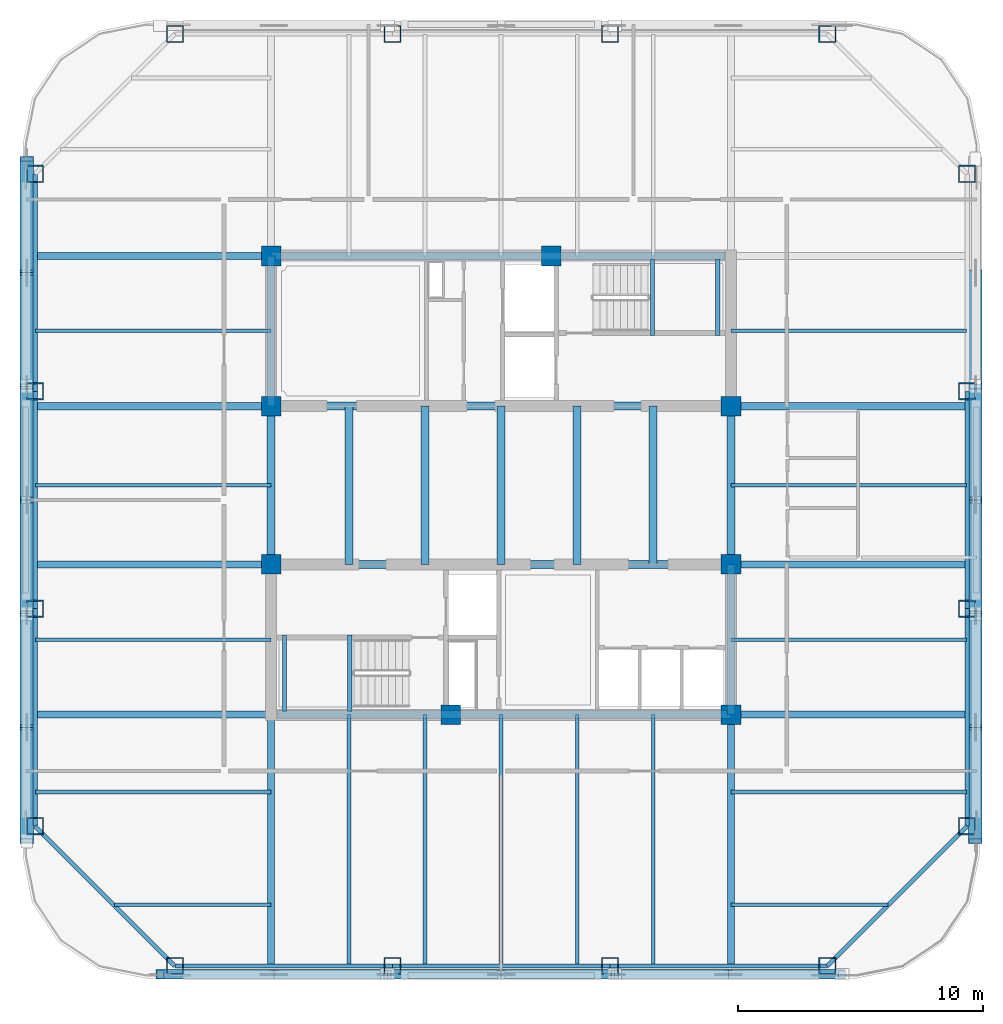
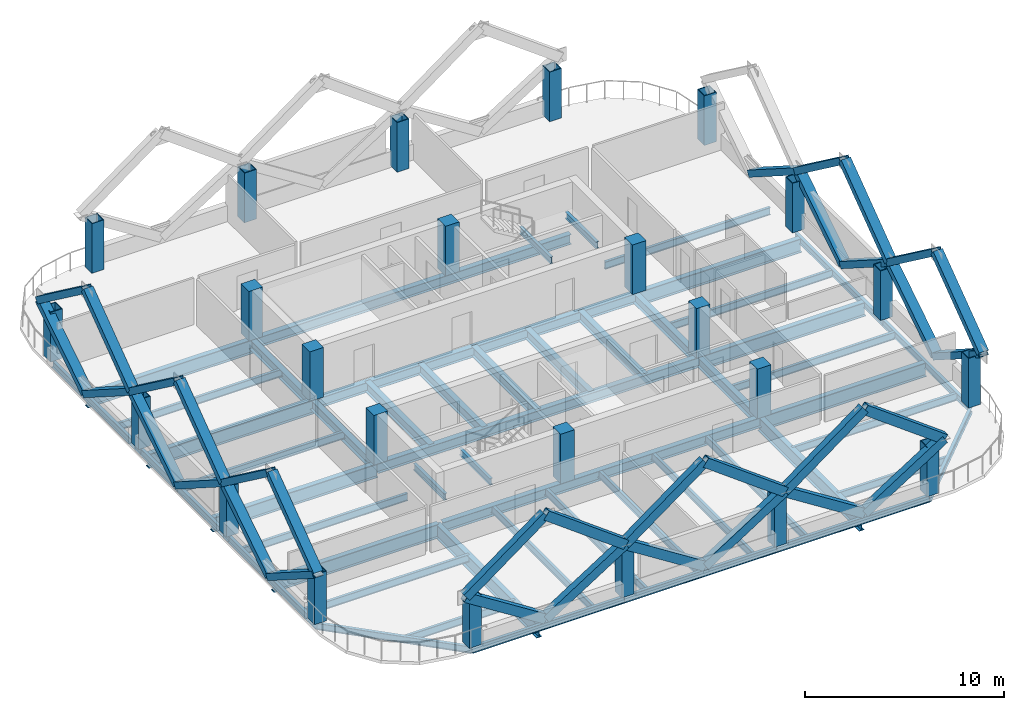
# One storey, part 1 of 8: 51 beams, 33 members, 24 columns.
"""IFC4 building model written with IfcOpenShell, lengths in metres."""

from ifc_helpers import new_model, si_unit, direction, frame, origin, origin_2d, place, context, subcontext, project, spatial, rectangle, hollow_rectangle, i_section, extrude, material, material_profile, profile_set, type_object, element, save


model = new_model("IFC4")

# Units and contexts
model_context = context("Model", 3, precision=1e-05, world=origin(), true_north=direction((0.0, 1.0)))
body_context = subcontext(model_context, "Body", "Model", "MODEL_VIEW")
ifc_project = project(units=[si_unit("LENGTHUNIT", "METRE"), si_unit("AREAUNIT", "SQUARE_METRE"), si_unit("VOLUMEUNIT", "CUBIC_METRE"), si_unit("PLANEANGLEUNIT", "RADIAN"), si_unit("MASSUNIT", "GRAM", prefix="KILO")], contexts=[model_context])

# Site, building, storey
site_placement = place(None, origin())
site = spatial("IfcSite", under=ifc_project, at=site_placement, CompositionType="ELEMENT")
building_placement = place(site_placement, origin())
building = spatial("IfcBuilding", under=site, at=building_placement, Name="Qhalaya Broadcast Tower", CompositionType="ELEMENT")
storey_placement = place(building_placement, frame((0.0, 0.0, 223.89990234375)))
storey = spatial("IfcBuildingStorey", under=building, at=storey_placement, Name="L66", CompositionType="ELEMENT", Elevation=223.89990234375)

# Columns
ifc_material_1 = material(Name="Concrete C50/60", Category="concrete")
ifc_material_profile_1 = material_profile(ifc_material_1, rectangle(XDim=0.800048828125, YDim=0.800048828125, at=origin_2d()), Name="RC-COL 800x800")
ifc_profile_set_1 = profile_set([ifc_material_profile_1], Name="Concrete C50/60")
column_type_1 = type_object("IfcColumnType", Name="RC Upper Column C10", PredefinedType="COLUMN", material=ifc_profile_set_1)
for number, where, z_axis, x_axis, name in (
    (1, (-9.375, 9.949951171875, 0.0), (0.0, 0.0, 1.0), (1.0, 0.0, 0.0), "L66 Column COL-CC1"),
    (2, (2.050048828125, 9.949951171875, 0.0), (0.0, 0.0, 1.0), (1.0, 0.0, 0.0), "L66 Column COL-CC2"),
    (3, (-9.375, 3.824951171875, 0.0), (0.0, 0.0, 1.0), (1.0, 0.0, 0.0), "L66 Column COL-CC3"),
    (4, (9.375, 3.824951171875, 0.0), (0.0, 0.0, 1.0), (1.0, 0.0, 0.0), "L66 Column COL-CC4"),
    (5, (-9.375, -2.625, 0.0), (0.0, 0.0, 1.0), (1.0, 0.0, 0.0), "L66 Column COL-CC5"),
    (6, (9.375, -2.625, 0.0), (0.0, 0.0, 1.0), (1.0, 0.0, 0.0), "L66 Column COL-CC6"),
    (7, (-2.050048828125, -8.75, 0.0), (0.0, 0.0, 1.0), (1.0, 0.0, 0.0), "L66 Column COL-CC7"),
    (8, (9.375, -8.75, 0.0), (0.0, 0.0, 1.0), (1.0, 0.0, 0.0), "L66 Column COL-CC8"),
):
    element("IfcColumn", number, at=place(storey_placement, frame(where, z_axis=z_axis, x_axis=x_axis)), inside=storey, type_object=column_type_1, Name=name, PredefinedType="COLUMN", context=body_context, shape_type="SweptSolid", body=[
        extrude(rectangle(XDim=0.800048828125, YDim=0.800048828125, at=origin_2d()), origin(), (0.0, 0.0, 1.0), 3.050048828125),
    ])
ifc_material_2 = material(Name="Structural Steel ASTM A572 Grade 50", Category="steel")
ifc_material_profile_2 = material_profile(ifc_material_2, hollow_rectangle(XDim=0.699951171875, YDim=0.699951171875, WallThickness=0.044921875, at=origin_2d()), Name="BOX 700x700x45")
ifc_profile_set_2 = profile_set([ifc_material_profile_2], Name="Structural Steel ASTM A572 Grade 50")
column_type_2 = type_object("IfcColumnType", Name="Steel Box Column C04", PredefinedType="COLUMN", material=ifc_profile_set_2)
for number, where, z_axis, x_axis, name in (
    (9, (-13.300048828125, -19.0, 0.0), (0.0, 0.0, 1.0), (1.0, 0.0, 0.0), "L66 Column COL-EX01"),
    (10, (-4.433349609375, -19.0, 0.0), (0.0, 0.0, 1.0), (1.0, 0.0, 0.0), "L66 Column COL-EX02"),
    (11, (4.433349609375, -19.0, 0.0), (0.0, 0.0, 1.0), (1.0, 0.0, 0.0), "L66 Column COL-EX03"),
    (12, (13.300048828125, -19.0, 0.0), (0.0, 0.0, 1.0), (1.0, 0.0, 0.0), "L66 Column COL-EX04"),
    (13, (19.0, -13.300048828125, 0.0), (0.0, 0.0, 1.0), (0.0, 1.0, 0.0), "L66 Column COL-EX05"),
    (14, (19.0, -4.433349609375, 0.0), (0.0, 0.0, 1.0), (0.0, 1.0, 0.0), "L66 Column COL-EX06"),
    (15, (19.0, 4.433349609375, 0.0), (0.0, 0.0, 1.0), (0.0, 1.0, 0.0), "L66 Column COL-EX07"),
    (16, (19.0, 13.300048828125, 0.0), (0.0, 0.0, 1.0), (0.0, 1.0, 0.0), "L66 Column COL-EX08"),
    (17, (13.300048828125, 19.0, 0.0), (0.0, 0.0, 1.0), (1.0, 0.0, 0.0), "L66 Column COL-EX09"),
    (18, (4.433349609375, 19.0, 0.0), (0.0, 0.0, 1.0), (1.0, 0.0, 0.0), "L66 Column COL-EX10"),
    (19, (-4.433349609375, 19.0, 0.0), (0.0, 0.0, 1.0), (1.0, 0.0, 0.0), "L66 Column COL-EX11"),
    (20, (-13.300048828125, 19.0, 0.0), (0.0, 0.0, 1.0), (1.0, 0.0, 0.0), "L66 Column COL-EX12"),
    (21, (-19.0, 13.300048828125, 0.0), (0.0, 0.0, 1.0), (0.0, 1.0, 0.0), "L66 Column COL-EX13"),
    (22, (-19.0, 4.433349609375, 0.0), (0.0, 0.0, 1.0), (0.0, 1.0, 0.0), "L66 Column COL-EX14"),
    (23, (-19.0, -4.433349609375, 0.0), (0.0, 0.0, 1.0), (0.0, 1.0, 0.0), "L66 Column COL-EX15"),
    (24, (-19.0, -13.300048828125, 0.0), (0.0, 0.0, 1.0), (0.0, 1.0, 0.0), "L66 Column COL-EX16"),
):
    element("IfcColumn", number, at=place(storey_placement, frame(where, z_axis=z_axis, x_axis=x_axis)), inside=storey, type_object=column_type_2, Name=name, PredefinedType="COLUMN", context=body_context, shape_type="SweptSolid", body=[
        extrude(hollow_rectangle(XDim=0.699951171875, YDim=0.699951171875, WallThickness=0.044921875, at=origin_2d()), origin(), (0.0, 0.0, 1.0), 3.050048828125),
    ])

# Beams
ifc_material_3 = material(Name="Structural Steel ASTM A992 Grade 50", Category="steel")
ifc_material_profile_3 = material_profile(ifc_material_3, i_section(OverallWidth=0.154052734375, OverallDepth=0.458984375, WebThickness=0.009033203125, FlangeThickness=0.015380859375, at=origin_2d()), Name="W18X46")
ifc_profile_set_3 = profile_set([ifc_material_profile_3], Name="Structural Steel ASTM A992 Grade 50")
beam_type_1 = type_object("IfcBeamType", Name="Composite Floor Joist J04", PredefinedType="JOIST", material=ifc_profile_set_3)
for number, where, z_axis, x_axis, name in (
    (25, (-6.199951171875, -18.97998046875, -0.41943359375), (0.0, 1.0, 0.0), (-1.0, 0.0, 0.0), "L66 J04 L66-JNS1-1"),
    (26, (-3.10009765625, -18.97998046875, -0.41943359375), (0.0, 1.0, 0.0), (-1.0, 0.0, 0.0), "L66 J04 L66-JNS2-1"),
    (27, (0.0, -18.97998046875, -0.41943359375), (0.0, 1.0, 0.0), (-1.0, 0.0, 0.0), "L66 J04 L66-JNS3-1"),
    (28, (3.10009765625, -18.97998046875, -0.41943359375), (0.0, 1.0, 0.0), (-1.0, 0.0, 0.0), "L66 J04 L66-JNS4-1"),
    (29, (6.199951171875, -18.97998046875, -0.41943359375), (0.0, 1.0, 0.0), (-1.0, 0.0, 0.0), "L66 J04 L66-JNS5-1"),
):
    element("IfcBeam", number, at=place(storey_placement, frame(where, z_axis=z_axis, x_axis=x_axis)), inside=storey, type_object=beam_type_1, Name=name, PredefinedType="JOIST", context=body_context, shape_type="SweptSolid", body=[
        extrude(i_section(OverallWidth=0.154052734375, OverallDepth=0.458984375, WebThickness=0.009033203125, FlangeThickness=0.015380859375, at=origin_2d()), origin(), (0.0, 0.0, 1.0), 10.22998046875),
    ])
for number, where, z_axis, x_axis, name in (
    (30, (-15.771728515625, -16.5, -0.41943359375), (1.0, 0.0, 0.0), (0.0, 1.0, 0.0), "L66 J04 L66-JWE1W-1"),
    (31, (9.375, -16.5, -0.41943359375), (1.0, 0.0, 0.0), (0.0, 1.0, 0.0), "L66 J04 L66-JWE1E-1"),
):
    element("IfcBeam", number, at=place(storey_placement, frame(where, z_axis=z_axis, x_axis=x_axis)), inside=storey, type_object=beam_type_1, Name=name, PredefinedType="JOIST", context=body_context, shape_type="SweptSolid", body=[
        extrude(i_section(OverallWidth=0.154052734375, OverallDepth=0.458984375, WebThickness=0.009033203125, FlangeThickness=0.015380859375, at=origin_2d()), origin(), (0.0, 0.0, 1.0), 6.396728515625),
    ])
for number, where, z_axis, x_axis, name in (
    (32, (-18.97998046875, -11.89990234375, -0.41943359375), (1.0, 0.0, 0.0), (0.0, 1.0, 0.0), "L66 J04 L66-JWE2W-1"),
    (33, (9.375, -11.89990234375, -0.41943359375), (1.0, 0.0, 0.0), (0.0, 1.0, 0.0), "L66 J04 L66-JWE2E-1"),
    (34, (-18.97998046875, -5.699951171875, -0.41943359375), (1.0, 0.0, 0.0), (0.0, 1.0, 0.0), "L66 J04 L66-JWE3W-1"),
    (35, (9.375, -5.699951171875, -0.41943359375), (1.0, 0.0, 0.0), (0.0, 1.0, 0.0), "L66 J04 L66-JWE3E-1"),
    (36, (-18.97998046875, 0.60009765625, -0.41943359375), (1.0, 0.0, 0.0), (0.0, 1.0, 0.0), "L66 J04 L66-JWE4W-1"),
    (37, (9.375, 0.60009765625, -0.41943359375), (1.0, 0.0, 0.0), (0.0, 1.0, 0.0), "L66 J04 L66-JWE4E-1"),
    (38, (-18.97998046875, 6.89990234375, -0.41943359375), (1.0, 0.0, 0.0), (0.0, 1.0, 0.0), "L66 J04 L66-JWE5W-1"),
    (39, (9.375, 6.89990234375, -0.41943359375), (1.0, 0.0, 0.0), (0.0, 1.0, 0.0), "L66 J04 L66-JWE5E-1"),
):
    element("IfcBeam", number, at=place(storey_placement, frame(where, z_axis=z_axis, x_axis=x_axis)), inside=storey, type_object=beam_type_1, Name=name, PredefinedType="JOIST", context=body_context, shape_type="SweptSolid", body=[
        extrude(i_section(OverallWidth=0.154052734375, OverallDepth=0.458984375, WebThickness=0.009033203125, FlangeThickness=0.015380859375, at=origin_2d()), origin(), (0.0, 0.0, 1.0), 9.60498046875),
    ])
ifc_material_profile_4 = material_profile(ifc_material_3, i_section(OverallWidth=0.323974609375, OverallDepth=0.612060546875, WebThickness=0.0126953125, FlangeThickness=0.01904296875, at=origin_2d()), Name="W24X104")
ifc_profile_set_4 = profile_set([ifc_material_profile_4], Name="Structural Steel ASTM A992 Grade 50")
beam_type_2 = type_object("IfcBeamType", Name="Core Frame Tie Beam B04", PredefinedType="BEAM", material=ifc_profile_set_4)
beam_1_placement = place(storey_placement, frame((-9.375, 3.824951171875, -0.495849609375), z_axis=(1.0, 0.0, 0.0), x_axis=(0.0, 1.0, 0.0)))
element("IfcBeam", 40, at=beam_1_placement, inside=storey, type_object=beam_type_2, Name="L66 B04 L66-CCN1", PredefinedType="BEAM", context=body_context, shape_type="SweptSolid", body=[
    extrude(i_section(OverallWidth=0.323974609375, OverallDepth=0.612060546875, WebThickness=0.0126953125, FlangeThickness=0.01904296875, at=origin_2d()), origin(), (0.0, 0.0, 1.0), 18.75),
])
beam_2_placement = place(storey_placement, frame((-9.375, 3.824951171875, -0.495849609375), z_axis=(0.0, 1.0, 0.0), x_axis=(-1.0, 0.0, 0.0)))
element("IfcBeam", 41, at=beam_2_placement, inside=storey, type_object=beam_type_2, Name="L66 B04 L66-CCN2", PredefinedType="BEAM", context=body_context, shape_type="SweptSolid", body=[
    extrude(i_section(OverallWidth=0.323974609375, OverallDepth=0.612060546875, WebThickness=0.0126953125, FlangeThickness=0.01904296875, at=origin_2d()), origin(), (0.0, 0.0, 1.0), 6.125),
])
beam_3_placement = place(storey_placement, frame((-9.375, 9.949951171875, -0.495849609375), z_axis=(1.0, 0.0, 0.0), x_axis=(0.0, 1.0, 0.0)))
element("IfcBeam", 42, at=beam_3_placement, inside=storey, type_object=beam_type_2, Name="L66 B04 L66-CCN3", PredefinedType="BEAM", context=body_context, shape_type="SweptSolid", body=[
    extrude(i_section(OverallWidth=0.323974609375, OverallDepth=0.612060546875, WebThickness=0.0126953125, FlangeThickness=0.01904296875, at=origin_2d()), origin(), (0.0, 0.0, 1.0), 18.4951171875),
])
beam_4_placement = place(storey_placement, frame((-9.375, -2.625, -0.495849609375), z_axis=(1.0, 0.0, 0.0), x_axis=(0.0, 1.0, 0.0)))
element("IfcBeam", 43, at=beam_4_placement, inside=storey, type_object=beam_type_2, Name="L66 B04 L66-CCS1", PredefinedType="BEAM", context=body_context, shape_type="SweptSolid", body=[
    extrude(i_section(OverallWidth=0.323974609375, OverallDepth=0.612060546875, WebThickness=0.0126953125, FlangeThickness=0.01904296875, at=origin_2d()), origin(), (0.0, 0.0, 1.0), 18.75),
])
beam_5_placement = place(storey_placement, frame((9.375, -8.75, -0.495849609375), z_axis=(0.0, 1.0, 0.0), x_axis=(-1.0, 0.0, 0.0)))
element("IfcBeam", 44, at=beam_5_placement, inside=storey, type_object=beam_type_2, Name="L66 B04 L66-CCS2", PredefinedType="BEAM", context=body_context, shape_type="SweptSolid", body=[
    extrude(i_section(OverallWidth=0.323974609375, OverallDepth=0.612060546875, WebThickness=0.0126953125, FlangeThickness=0.01904296875, at=origin_2d()), origin(), (0.0, 0.0, 1.0), 6.125),
])
beam_6_placement = place(storey_placement, frame((-9.1201171875, -8.75, -0.495849609375), z_axis=(1.0, 0.0, 0.0), x_axis=(0.0, 1.0, 0.0)))
element("IfcBeam", 45, at=beam_6_placement, inside=storey, type_object=beam_type_2, Name="L66 B04 L66-CCS3", PredefinedType="BEAM", context=body_context, shape_type="SweptSolid", body=[
    extrude(i_section(OverallWidth=0.323974609375, OverallDepth=0.612060546875, WebThickness=0.0126953125, FlangeThickness=0.01904296875, at=origin_2d()), origin(), (0.0, 0.0, 1.0), 18.4951171875),
])
for number, where, z_axis, x_axis, name in (
    (46, (-9.375, -2.625, -0.495849609375), (0.0, 1.0, 0.0), (-1.0, 0.0, 0.0), "L66 B04 L66-CCW"),
    (47, (9.375, -2.625, -0.495849609375), (0.0, 1.0, 0.0), (-1.0, 0.0, 0.0), "L66 B04 L66-CCE"),
    (48, (-6.199951171875, -2.625, -0.495849609375), (0.0, 1.0, 0.0), (-1.0, 0.0, 0.0), "L66 B04 L66-JC1-1"),
    (49, (-3.10009765625, -2.625, -0.495849609375), (0.0, 1.0, 0.0), (-1.0, 0.0, 0.0), "L66 B04 L66-JC2-1"),
    (50, (0.0, -2.625, -0.495849609375), (0.0, 1.0, 0.0), (-1.0, 0.0, 0.0), "L66 B04 L66-JC3-1"),
    (51, (3.10009765625, -2.625, -0.495849609375), (0.0, 1.0, 0.0), (-1.0, 0.0, 0.0), "L66 B04 L66-JC4-1"),
    (52, (6.199951171875, -2.625, -0.495849609375), (0.0, 1.0, 0.0), (-1.0, 0.0, 0.0), "L66 B04 L66-JC5-1"),
):
    element("IfcBeam", number, at=place(storey_placement, frame(where, z_axis=z_axis, x_axis=x_axis)), inside=storey, type_object=beam_type_2, Name=name, PredefinedType="BEAM", context=body_context, shape_type="SweptSolid", body=[
        extrude(i_section(OverallWidth=0.323974609375, OverallDepth=0.612060546875, WebThickness=0.0126953125, FlangeThickness=0.01904296875, at=origin_2d()), origin(), (0.0, 0.0, 1.0), 6.449951171875),
    ])

# Members
ifc_material_profile_5 = material_profile(ifc_material_2, hollow_rectangle(XDim=0.3798828125, YDim=0.550048828125, WallThickness=0.02490234375, at=origin_2d()), Name="BOX 380x550x25")
ifc_profile_set_5 = profile_set([ifc_material_profile_5], Name="Structural Steel ASTM A572 Grade 50")
member_type = type_object("IfcMemberType", Name="Exoskeleton Diamond Diagonal Upper EX4", PredefinedType="BRACE", material=ifc_profile_set_5)
for number, where, z_axis, x_axis, name in (
    (53, (-9.2666015625, -19.340087890625, 0.360107421875), (-0.843538840855, 0.0, 0.537068174415), (0.0, -1.0, 0.0), "B5 Exoskeleton Diamond Brace S1-D1"),
    (54, (-9.2666015625, -19.340087890625, 0.360107421875), (0.843538840855, 0.0, 0.537068174415), (0.0, 1.0, 0.0), "B5 Exoskeleton Diamond Brace S1-D2"),
):
    element("IfcMember", number, at=place(storey_placement, frame(where, z_axis=z_axis, x_axis=x_axis)), inside=storey, type_object=member_type, Name=name, PredefinedType="BRACE", context=body_context, shape_type="SweptSolid", body=[
        extrude(hollow_rectangle(XDim=0.3798828125, YDim=0.550048828125, WallThickness=0.02490234375, at=origin_2d()), origin(), (0.0, 0.0, 1.0), 5.49267578125),
    ])
for number, where, z_axis, x_axis, name in (
    (55, (-13.89990234375, -19.340087890625, 3.31005859375), (0.803734963659, 0.0, 0.594987485744), (0.0, 1.0, 0.0), "B5 Exoskeleton Diamond Brace S1-D3"),
    (56, (-4.63330078125, -19.340087890625, 3.31005859375), (-0.803734963659, 0.0, 0.594987485744), (0.0, -1.0, 0.0), "B5 Exoskeleton Diamond Brace S1-D4"),
):
    element("IfcMember", number, at=place(storey_placement, frame(where, z_axis=z_axis, x_axis=x_axis)), inside=storey, type_object=member_type, Name=name, PredefinedType="BRACE", context=body_context, shape_type="SweptSolid", body=[
        extrude(hollow_rectangle(XDim=0.3798828125, YDim=0.550048828125, WallThickness=0.02490234375, at=origin_2d()), origin(), (0.0, 0.0, 1.0), 5.7646484375),
    ])
for number, where, z_axis, x_axis, name in (
    (57, (0.0, -19.340087890625, 0.360107421875), (-0.843538840855, 0.0, 0.537068174415), (0.0, -1.0, 0.0), "B5 Exoskeleton Diamond Brace S2-D1"),
    (58, (0.0, -19.340087890625, 0.360107421875), (0.843538840855, 0.0, 0.537068174415), (0.0, 1.0, 0.0), "B5 Exoskeleton Diamond Brace S2-D2"),
):
    element("IfcMember", number, at=place(storey_placement, frame(where, z_axis=z_axis, x_axis=x_axis)), inside=storey, type_object=member_type, Name=name, PredefinedType="BRACE", context=body_context, shape_type="SweptSolid", body=[
        extrude(hollow_rectangle(XDim=0.3798828125, YDim=0.550048828125, WallThickness=0.02490234375, at=origin_2d()), origin(), (0.0, 0.0, 1.0), 5.49267578125),
    ])
for number, where, z_axis, x_axis, name in (
    (59, (-4.63330078125, -19.340087890625, 3.31005859375), (0.803734963659, 0.0, 0.594987485744), (0.0, 1.0, 0.0), "B5 Exoskeleton Diamond Brace S2-D3"),
    (60, (4.63330078125, -19.340087890625, 3.31005859375), (-0.803734963659, 0.0, 0.594987485744), (0.0, -1.0, 0.0), "B5 Exoskeleton Diamond Brace S2-D4"),
):
    element("IfcMember", number, at=place(storey_placement, frame(where, z_axis=z_axis, x_axis=x_axis)), inside=storey, type_object=member_type, Name=name, PredefinedType="BRACE", context=body_context, shape_type="SweptSolid", body=[
        extrude(hollow_rectangle(XDim=0.3798828125, YDim=0.550048828125, WallThickness=0.02490234375, at=origin_2d()), origin(), (0.0, 0.0, 1.0), 5.7646484375),
    ])
for number, where, z_axis, x_axis, name in (
    (61, (9.2666015625, -19.340087890625, 0.360107421875), (-0.843538840855, 0.0, 0.537068174415), (0.0, -1.0, 0.0), "B5 Exoskeleton Diamond Brace S3-D1"),
    (62, (9.2666015625, -19.340087890625, 0.360107421875), (0.843538840855, 0.0, 0.537068174415), (0.0, 1.0, 0.0), "B5 Exoskeleton Diamond Brace S3-D2"),
):
    element("IfcMember", number, at=place(storey_placement, frame(where, z_axis=z_axis, x_axis=x_axis)), inside=storey, type_object=member_type, Name=name, PredefinedType="BRACE", context=body_context, shape_type="SweptSolid", body=[
        extrude(hollow_rectangle(XDim=0.3798828125, YDim=0.550048828125, WallThickness=0.02490234375, at=origin_2d()), origin(), (0.0, 0.0, 1.0), 5.49267578125),
    ])
for number, where, z_axis, x_axis, name in (
    (63, (4.63330078125, -19.340087890625, 3.31005859375), (0.803734963659, 0.0, 0.594987485744), (0.0, 1.0, 0.0), "B5 Exoskeleton Diamond Brace S3-D3"),
    (64, (13.89990234375, -19.340087890625, 3.31005859375), (-0.803734963659, 0.0, 0.594987485744), (0.0, -1.0, 0.0), "B5 Exoskeleton Diamond Brace S3-D4"),
):
    element("IfcMember", number, at=place(storey_placement, frame(where, z_axis=z_axis, x_axis=x_axis)), inside=storey, type_object=member_type, Name=name, PredefinedType="BRACE", context=body_context, shape_type="SweptSolid", body=[
        extrude(hollow_rectangle(XDim=0.3798828125, YDim=0.550048828125, WallThickness=0.02490234375, at=origin_2d()), origin(), (0.0, 0.0, 1.0), 5.7646484375),
    ])
for number, where, z_axis, x_axis, name in (
    (65, (19.340087890625, -9.2666015625, 0.360107421875), (0.0, -0.843538840855, 0.537068174415), (0.0, 0.537068174415, 0.843538840855), "B5 Exoskeleton Diamond Brace E1-D1"),
    (66, (19.340087890625, -9.2666015625, 0.360107421875), (0.0, 0.843538840855, 0.537068174415), (0.0, -0.537068174415, 0.843538840855), "B5 Exoskeleton Diamond Brace E1-D2"),
):
    element("IfcMember", number, at=place(storey_placement, frame(where, z_axis=z_axis, x_axis=x_axis)), inside=storey, type_object=member_type, Name=name, PredefinedType="BRACE", context=body_context, shape_type="SweptSolid", body=[
        extrude(hollow_rectangle(XDim=0.3798828125, YDim=0.550048828125, WallThickness=0.02490234375, at=origin_2d()), origin(), (0.0, 0.0, 1.0), 5.49267578125),
    ])
for number, where, z_axis, x_axis, name in (
    (67, (19.340087890625, -13.89990234375, 3.31005859375), (0.0, 0.803734963659, 0.594987485744), (0.0, -0.594987485744, 0.803734963659), "B5 Exoskeleton Diamond Brace E1-D3"),
    (68, (19.340087890625, -4.63330078125, 3.31005859375), (0.0, -0.803734963659, 0.594987485744), (0.0, 0.594987485744, 0.803734963659), "B5 Exoskeleton Diamond Brace E1-D4"),
):
    element("IfcMember", number, at=place(storey_placement, frame(where, z_axis=z_axis, x_axis=x_axis)), inside=storey, type_object=member_type, Name=name, PredefinedType="BRACE", context=body_context, shape_type="SweptSolid", body=[
        extrude(hollow_rectangle(XDim=0.3798828125, YDim=0.550048828125, WallThickness=0.02490234375, at=origin_2d()), origin(), (0.0, 0.0, 1.0), 5.7646484375),
    ])
for number, where, z_axis, x_axis, name in (
    (69, (19.340087890625, 0.0, 0.360107421875), (0.0, -0.843538840855, 0.537068174415), (0.0, 0.537068174415, 0.843538840855), "B5 Exoskeleton Diamond Brace E2-D1"),
    (70, (19.340087890625, 0.0, 0.360107421875), (0.0, 0.843538840855, 0.537068174415), (0.0, -0.537068174415, 0.843538840855), "B5 Exoskeleton Diamond Brace E2-D2"),
):
    element("IfcMember", number, at=place(storey_placement, frame(where, z_axis=z_axis, x_axis=x_axis)), inside=storey, type_object=member_type, Name=name, PredefinedType="BRACE", context=body_context, shape_type="SweptSolid", body=[
        extrude(hollow_rectangle(XDim=0.3798828125, YDim=0.550048828125, WallThickness=0.02490234375, at=origin_2d()), origin(), (0.0, 0.0, 1.0), 5.49267578125),
    ])
for number, where, z_axis, x_axis, name in (
    (71, (19.340087890625, -4.63330078125, 3.31005859375), (0.0, 0.803734963659, 0.594987485744), (0.0, -0.594987485744, 0.803734963659), "B5 Exoskeleton Diamond Brace E2-D3"),
    (72, (19.340087890625, 4.63330078125, 3.31005859375), (0.0, -0.803734963659, 0.594987485744), (0.0, 0.594987485744, 0.803734963659), "B5 Exoskeleton Diamond Brace E2-D4"),
):
    element("IfcMember", number, at=place(storey_placement, frame(where, z_axis=z_axis, x_axis=x_axis)), inside=storey, type_object=member_type, Name=name, PredefinedType="BRACE", context=body_context, shape_type="SweptSolid", body=[
        extrude(hollow_rectangle(XDim=0.3798828125, YDim=0.550048828125, WallThickness=0.02490234375, at=origin_2d()), origin(), (0.0, 0.0, 1.0), 5.7646484375),
    ])
for number, where, z_axis, x_axis, name in (
    (73, (19.340087890625, 9.2666015625, 0.360107421875), (0.0, -0.843538840855, 0.537068174415), (0.0, 0.537068174415, 0.843538840855), "B5 Exoskeleton Diamond Brace E3-D1"),
    (74, (-19.340087890625, 9.2666015625, 0.360107421875), (0.0, 0.843538840855, 0.537068174415), (0.0, -0.537068174415, 0.843538840855), "B5 Exoskeleton Diamond Brace W1-D1"),
    (75, (-19.340087890625, 9.2666015625, 0.360107421875), (0.0, -0.843538840855, 0.537068174415), (0.0, 0.537068174415, 0.843538840855), "B5 Exoskeleton Diamond Brace W1-D2"),
):
    element("IfcMember", number, at=place(storey_placement, frame(where, z_axis=z_axis, x_axis=x_axis)), inside=storey, type_object=member_type, Name=name, PredefinedType="BRACE", context=body_context, shape_type="SweptSolid", body=[
        extrude(hollow_rectangle(XDim=0.3798828125, YDim=0.550048828125, WallThickness=0.02490234375, at=origin_2d()), origin(), (0.0, 0.0, 1.0), 5.49267578125),
    ])
for number, where, z_axis, x_axis, name in (
    (76, (-19.340087890625, 13.89990234375, 3.31005859375), (0.0, -0.803734963659, 0.594987485744), (0.0, 0.594987485744, 0.803734963659), "B5 Exoskeleton Diamond Brace W1-D3"),
    (77, (-19.340087890625, 4.63330078125, 3.31005859375), (0.0, 0.803734963659, 0.594987485744), (0.0, -0.594987485744, 0.803734963659), "B5 Exoskeleton Diamond Brace W1-D4"),
):
    element("IfcMember", number, at=place(storey_placement, frame(where, z_axis=z_axis, x_axis=x_axis)), inside=storey, type_object=member_type, Name=name, PredefinedType="BRACE", context=body_context, shape_type="SweptSolid", body=[
        extrude(hollow_rectangle(XDim=0.3798828125, YDim=0.550048828125, WallThickness=0.02490234375, at=origin_2d()), origin(), (0.0, 0.0, 1.0), 5.7646484375),
    ])
for number, where, z_axis, x_axis, name in (
    (78, (-19.340087890625, 0.0, 0.360107421875), (0.0, 0.843538840855, 0.537068174415), (0.0, -0.537068174415, 0.843538840855), "B5 Exoskeleton Diamond Brace W2-D1"),
    (79, (-19.340087890625, 0.0, 0.360107421875), (0.0, -0.843538840855, 0.537068174415), (0.0, 0.537068174415, 0.843538840855), "B5 Exoskeleton Diamond Brace W2-D2"),
):
    element("IfcMember", number, at=place(storey_placement, frame(where, z_axis=z_axis, x_axis=x_axis)), inside=storey, type_object=member_type, Name=name, PredefinedType="BRACE", context=body_context, shape_type="SweptSolid", body=[
        extrude(hollow_rectangle(XDim=0.3798828125, YDim=0.550048828125, WallThickness=0.02490234375, at=origin_2d()), origin(), (0.0, 0.0, 1.0), 5.49267578125),
    ])
for number, where, z_axis, x_axis, name in (
    (80, (-19.340087890625, 4.63330078125, 3.31005859375), (0.0, -0.803734963659, 0.594987485744), (0.0, 0.594987485744, 0.803734963659), "B5 Exoskeleton Diamond Brace W2-D3"),
    (81, (-19.340087890625, -4.63330078125, 3.31005859375), (0.0, 0.803734963659, 0.594987485744), (0.0, -0.594987485744, 0.803734963659), "B5 Exoskeleton Diamond Brace W2-D4"),
):
    element("IfcMember", number, at=place(storey_placement, frame(where, z_axis=z_axis, x_axis=x_axis)), inside=storey, type_object=member_type, Name=name, PredefinedType="BRACE", context=body_context, shape_type="SweptSolid", body=[
        extrude(hollow_rectangle(XDim=0.3798828125, YDim=0.550048828125, WallThickness=0.02490234375, at=origin_2d()), origin(), (0.0, 0.0, 1.0), 5.7646484375),
    ])
for number, where, z_axis, x_axis, name in (
    (82, (-19.340087890625, -9.2666015625, 0.360107421875), (0.0, 0.843538840855, 0.537068174415), (0.0, -0.537068174415, 0.843538840855), "B5 Exoskeleton Diamond Brace W3-D1"),
    (83, (-19.340087890625, -9.2666015625, 0.360107421875), (0.0, -0.843538840855, 0.537068174415), (0.0, 0.537068174415, 0.843538840855), "B5 Exoskeleton Diamond Brace W3-D2"),
):
    element("IfcMember", number, at=place(storey_placement, frame(where, z_axis=z_axis, x_axis=x_axis)), inside=storey, type_object=member_type, Name=name, PredefinedType="BRACE", context=body_context, shape_type="SweptSolid", body=[
        extrude(hollow_rectangle(XDim=0.3798828125, YDim=0.550048828125, WallThickness=0.02490234375, at=origin_2d()), origin(), (0.0, 0.0, 1.0), 5.49267578125),
    ])
for number, where, z_axis, x_axis, name in (
    (84, (-19.340087890625, -4.63330078125, 3.31005859375), (0.0, -0.803734963659, 0.594987485744), (0.0, 0.594987485744, 0.803734963659), "B5 Exoskeleton Diamond Brace W3-D3"),
    (85, (-19.340087890625, -13.89990234375, 3.31005859375), (0.0, 0.803734963659, 0.594987485744), (0.0, -0.594987485744, 0.803734963659), "B5 Exoskeleton Diamond Brace W3-D4"),
):
    element("IfcMember", number, at=place(storey_placement, frame(where, z_axis=z_axis, x_axis=x_axis)), inside=storey, type_object=member_type, Name=name, PredefinedType="BRACE", context=body_context, shape_type="SweptSolid", body=[
        extrude(hollow_rectangle(XDim=0.3798828125, YDim=0.550048828125, WallThickness=0.02490234375, at=origin_2d()), origin(), (0.0, 0.0, 1.0), 5.7646484375),
    ])

# Beams
ifc_material_profile_6 = material_profile(ifc_material_3, i_section(OverallWidth=0.2919921875, OverallDepth=0.85888671875, WebThickness=0.01708984375, FlangeThickness=0.031005859375, at=origin_2d()), Name="W33X169")
ifc_profile_set_6 = profile_set([ifc_material_profile_6], Name="Structural Steel ASTM A992 Grade 50")
beam_type_3 = type_object("IfcBeamType", Name="Upper Block Primary Girder PG4", PredefinedType="USERDEFINED", material=ifc_profile_set_6)
for number, where, z_axis, x_axis, name in (
    (86, (-9.375, -18.97998046875, -0.619384765625), (0.0, 1.0, 0.0), (-1.0, 0.0, 0.0), "L66 PG4 L66-PGXS1-1"),
    (87, (9.375, -18.97998046875, -0.619384765625), (0.0, 1.0, 0.0), (-1.0, 0.0, 0.0), "L66 PG4 L66-PGXS2-1"),
):
    element("IfcBeam", number, at=place(storey_placement, frame(where, z_axis=z_axis, x_axis=x_axis)), inside=storey, type_object=beam_type_3, Name=name, ObjectType="GIRDER", PredefinedType="USERDEFINED", context=body_context, shape_type="SweptSolid", body=[
        extrude(i_section(OverallWidth=0.2919921875, OverallDepth=0.85888671875, WebThickness=0.01708984375, FlangeThickness=0.031005859375, at=origin_2d()), origin(), (0.0, 0.0, 1.0), 10.22998046875),
    ])
for number, where, z_axis, x_axis, name in (
    (88, (-18.97998046875, -8.75, -0.619384765625), (1.0, 0.0, 0.0), (0.0, 1.0, 0.0), "L66 PG4 L66-PGYW1-1"),
    (89, (9.375, -8.75, -0.619384765625), (1.0, 0.0, 0.0), (0.0, 1.0, 0.0), "L66 PG4 L66-PGYE1-1"),
    (90, (-18.97998046875, -2.625, -0.619384765625), (1.0, 0.0, 0.0), (0.0, 1.0, 0.0), "L66 PG4 L66-PGYW2-1"),
    (91, (9.375, -2.625, -0.619384765625), (1.0, 0.0, 0.0), (0.0, 1.0, 0.0), "L66 PG4 L66-PGYE2-1"),
    (92, (-18.97998046875, 3.824951171875, -0.619384765625), (1.0, 0.0, 0.0), (0.0, 1.0, 0.0), "L66 PG4 L66-PGYW3-1"),
    (93, (9.375, 3.824951171875, -0.619384765625), (1.0, 0.0, 0.0), (0.0, 1.0, 0.0), "L66 PG4 L66-PGYE3-1"),
    (94, (-18.97998046875, 9.949951171875, -0.619384765625), (1.0, 0.0, 0.0), (0.0, 1.0, 0.0), "L66 PG4 L66-PGYW4-1"),
):
    element("IfcBeam", number, at=place(storey_placement, frame(where, z_axis=z_axis, x_axis=x_axis)), inside=storey, type_object=beam_type_3, Name=name, ObjectType="GIRDER", PredefinedType="USERDEFINED", context=body_context, shape_type="SweptSolid", body=[
        extrude(i_section(OverallWidth=0.2919921875, OverallDepth=0.85888671875, WebThickness=0.01708984375, FlangeThickness=0.031005859375, at=origin_2d()), origin(), (0.0, 0.0, 1.0), 9.60498046875),
    ])
ifc_material_profile_7 = material_profile(ifc_material_3, i_section(OverallWidth=0.177978515625, OverallDepth=0.406005859375, WebThickness=0.0078125, FlangeThickness=0.0126953125, at=origin_2d()), Name="W16X40")
ifc_profile_set_7 = profile_set([ifc_material_profile_7], Name="Structural Steel ASTM A992 Grade 50")
beam_type_4 = type_object("IfcBeamType", Name="Upper Perimeter Spandrel Beam SP2", PredefinedType="SPANDREL", material=ifc_profile_set_7)
for number, where, z_axis, x_axis, name in (
    (95, (-13.300048828125, -19.0, -0.392822265625), (1.0, 0.0, 0.0), (0.0, 1.0, 0.0), "L66 SP2 L66-SPR-01"),
    (96, (-4.433349609375, -19.0, -0.392822265625), (1.0, 0.0, 0.0), (0.0, 1.0, 0.0), "L66 SP2 L66-SPR-02"),
    (97, (4.433349609375, -19.0, -0.392822265625), (1.0, 0.0, 0.0), (0.0, 1.0, 0.0), "L66 SP2 L66-SPR-03"),
):
    element("IfcBeam", number, at=place(storey_placement, frame(where, z_axis=z_axis, x_axis=x_axis)), inside=storey, type_object=beam_type_4, Name=name, PredefinedType="SPANDREL", context=body_context, shape_type="SweptSolid", body=[
        extrude(i_section(OverallWidth=0.177978515625, OverallDepth=0.406005859375, WebThickness=0.0078125, FlangeThickness=0.0126953125, at=origin_2d()), origin(), (0.0, 0.0, 1.0), 8.86669921875),
    ])
beam_7_placement = place(storey_placement, frame((13.300048828125, -19.0, -0.392822265625), z_axis=(0.707106781187, 0.707106781187, 0.0), x_axis=(-0.707106781187, 0.707106781187, 0.0)))
element("IfcBeam", 98, at=beam_7_placement, inside=storey, type_object=beam_type_4, Name="L66 SP2 L66-SPR-04", PredefinedType="SPANDREL", context=body_context, shape_type="SweptSolid", body=[
    extrude(i_section(OverallWidth=0.177978515625, OverallDepth=0.406005859375, WebThickness=0.0078125, FlangeThickness=0.0126953125, at=origin_2d()), origin(), (0.0, 0.0, 1.0), 8.06103515625),
])
for number, where, z_axis, x_axis, name in (
    (99, (19.0, -13.300048828125, -0.392822265625), (0.0, 1.0, 0.0), (-1.0, 0.0, 0.0), "L66 SP2 L66-SPR-05"),
    (100, (19.0, -4.433349609375, -0.392822265625), (0.0, 1.0, 0.0), (-1.0, 0.0, 0.0), "L66 SP2 L66-SPR-06"),
    (101, (-19.0, 13.300048828125, -0.392822265625), (0.0, -1.0, 0.0), (1.0, 0.0, 0.0), "L66 SP2 L66-SPR-13"),
    (102, (-19.0, 4.433349609375, -0.392822265625), (0.0, -1.0, 0.0), (1.0, 0.0, 0.0), "L66 SP2 L66-SPR-14"),
    (103, (-19.0, -4.433349609375, -0.392822265625), (0.0, -1.0, 0.0), (1.0, 0.0, 0.0), "L66 SP2 L66-SPR-15"),
):
    element("IfcBeam", number, at=place(storey_placement, frame(where, z_axis=z_axis, x_axis=x_axis)), inside=storey, type_object=beam_type_4, Name=name, PredefinedType="SPANDREL", context=body_context, shape_type="SweptSolid", body=[
        extrude(i_section(OverallWidth=0.177978515625, OverallDepth=0.406005859375, WebThickness=0.0078125, FlangeThickness=0.0126953125, at=origin_2d()), origin(), (0.0, 0.0, 1.0), 8.86669921875),
    ])
beam_8_placement = place(storey_placement, frame((-19.0, -13.300048828125, -0.392822265625), z_axis=(0.707106781187, -0.707106781187, 0.0), x_axis=(0.707106781187, 0.707106781187, 0.0)))
element("IfcBeam", 104, at=beam_8_placement, inside=storey, type_object=beam_type_4, Name="L66 SP2 L66-SPR-16", PredefinedType="SPANDREL", context=body_context, shape_type="SweptSolid", body=[
    extrude(i_section(OverallWidth=0.177978515625, OverallDepth=0.406005859375, WebThickness=0.0078125, FlangeThickness=0.0126953125, at=origin_2d()), origin(), (0.0, 0.0, 1.0), 8.06103515625),
])
for number, where, z_axis, x_axis, name in (
    (105, (6.175048828125, 6.699951171875, 1.1220703125), (0.0, 1.0, 0.0), (-1.0, 0.0, 0.0), "L66 ST-1 Half-Landing Bearer Beam 1"),
    (106, (8.830078125, 6.699951171875, 1.1220703125), (0.0, 1.0, 0.0), (-1.0, 0.0, 0.0), "L66 ST-1 Half-Landing Bearer Beam 2"),
    (107, (-8.830078125, -8.6201171875, 1.1220703125), (0.0, 1.0, 0.0), (-1.0, 0.0, 0.0), "L66 ST-2 Half-Landing Bearer Beam 1"),
    (108, (-6.175048828125, -8.6201171875, 1.1220703125), (0.0, 1.0, 0.0), (-1.0, 0.0, 0.0), "L66 ST-2 Half-Landing Bearer Beam 2"),
):
    element("IfcBeam", number, at=place(storey_placement, frame(where, z_axis=z_axis, x_axis=x_axis)), inside=storey, type_object=beam_type_4, Name=name, PredefinedType="SPANDREL", context=body_context, shape_type="SweptSolid", body=[
        extrude(i_section(OverallWidth=0.177978515625, OverallDepth=0.406005859375, WebThickness=0.0078125, FlangeThickness=0.0126953125, at=origin_2d()), origin(), (0.0, 0.0, 1.0), 3.1201171875),
    ])

save(model, "model.ifc")
